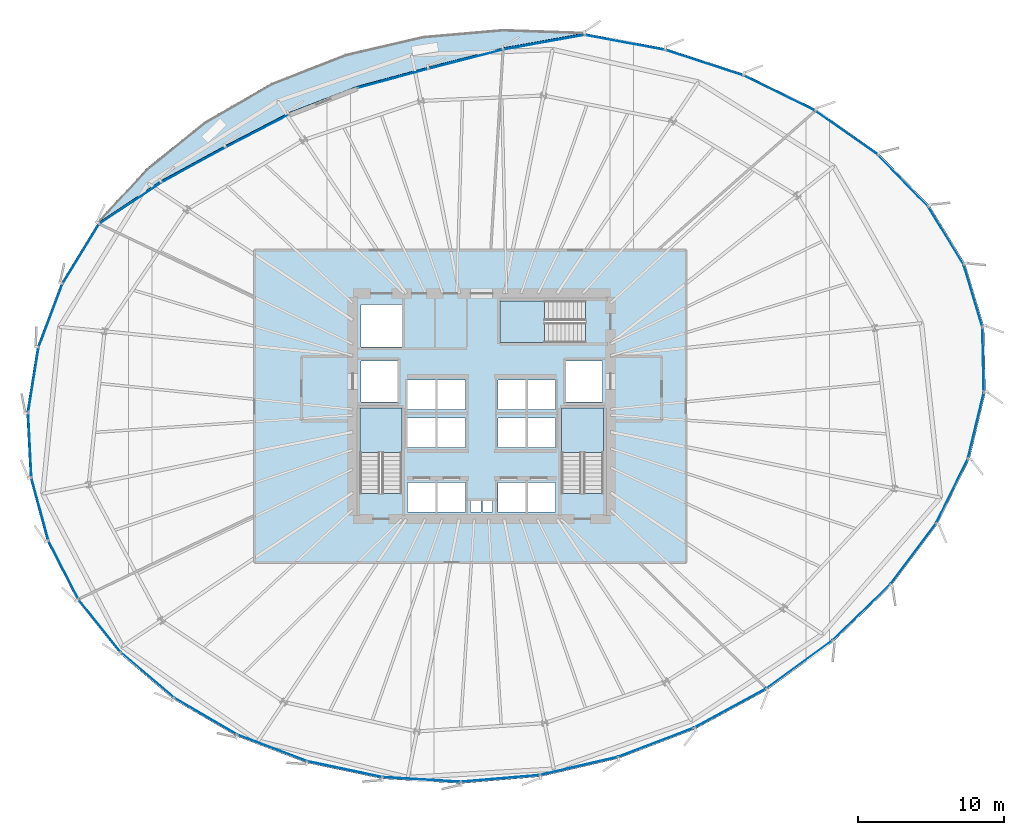
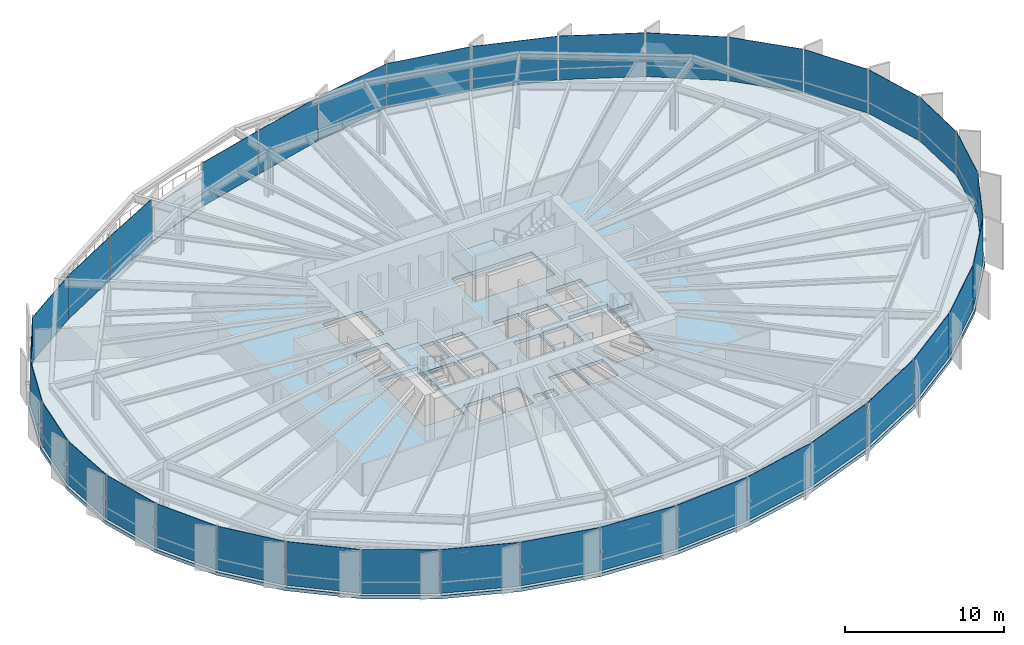
# One storey, part 31 of 38: 35 plates, 5 slabs, 10 elements without a shape of their own.
"""IFC4 building model written with IfcOpenShell, lengths in metres."""

from ifc_helpers import new_model, si_unit, direction, frame, origin, origin_2d, place, context, subcontext, project, spatial, polyline, rectangle, outline, extrude, source, transform, mapped, material, layer, layer_set, type_object, element, aggregate, save


model = new_model("IFC4")

# Units and contexts
model_context = context("Model", 3, precision=1e-05, world=origin(), true_north=direction((0.0, 1.0)))
body_context = subcontext(model_context, "Body", "Model", "MODEL_VIEW")
ifc_project = project(units=[si_unit("LENGTHUNIT", "METRE"), si_unit("AREAUNIT", "SQUARE_METRE"), si_unit("VOLUMEUNIT", "CUBIC_METRE"), si_unit("PLANEANGLEUNIT", "RADIAN"), si_unit("MASSUNIT", "GRAM", prefix="KILO"), si_unit("THERMODYNAMICTEMPERATUREUNIT", "KELVIN")], contexts=[model_context])

# Site, building, storey
site_placement = place(None, origin())
site = spatial("IfcSite", under=ifc_project, at=site_placement, CompositionType="ELEMENT")
building_placement = place(site_placement, origin())
building = spatial("IfcBuilding", under=site, at=building_placement, Name="Kethvar Cultural Tower", CompositionType="ELEMENT")
storey_placement = place(building_placement, frame((0.0, 0.0, 67.60009765625)))
storey = spatial("IfcBuildingStorey", under=building, at=storey_placement, Name="L16", CompositionType="ELEMENT", Elevation=67.60009765625)

# Stair, slab
ifc_material_1 = material(Name="Concrete C40/50", Category="concrete")
stair_type = type_object("IfcStairType", Name="ST-DOGLEG-135", PredefinedType="HALF_TURN_STAIR", material=ifc_material_1)
stair_1_placement = place(storey_placement, origin())
stair_1 = element("IfcStair", 1, at=stair_1_placement, inside=storey, type_object=stair_type, Name="L16 Core Exit Stair 1", PredefinedType="HALF_TURN_STAIR")
ifc_layer_1 = layer(ifc_material_1, 0.199951171875, Name="Concrete C40/50", Category="concrete")
ifc_layer_set_1 = layer_set([ifc_layer_1], Name="Concrete C40/50 (200 mm)")
slab_type_1 = type_object("IfcSlabType", Name="SL-STAIR-LANDING-200", PredefinedType="LANDING", material=ifc_layer_set_1)
slab_1_placement = place(storey_placement, frame((0.0, 0.0, 1.699951171875)))
slab_1 = element("IfcSlab", 2, at=slab_1_placement, type_object=slab_type_1, Name="ST-01 landing 1", PredefinedType="LANDING", context=body_context, shape_type="SweptSolid", body=[
    extrude(outline(polyline([(41.35009765625, 24.64990234375), (41.35009765625, 27.699951171875), (38.489990234375, 27.699951171875), (38.489990234375, 24.64990234375), (41.35009765625, 24.64990234375)])), origin(), (0.0, 0.0, 1.0), 0.199951171875),
])
aggregate(stair_1, [slab_1])

stair_2_placement = place(storey_placement, origin())
stair_2 = element("IfcStair", 3, at=stair_2_placement, inside=storey, type_object=stair_type, Name="L16 Core Exit Stair 2", PredefinedType="HALF_TURN_STAIR")
slab_2_placement = place(storey_placement, frame((0.0, 0.0, 1.699951171875)))
slab_2 = element("IfcSlab", 4, at=slab_2_placement, type_object=slab_type_1, Name="ST-02 landing 1", PredefinedType="LANDING", context=body_context, shape_type="SweptSolid", body=[
    extrude(outline(polyline([(55.110107421875, 24.64990234375), (55.110107421875, 27.699951171875), (52.25, 27.699951171875), (52.25, 24.64990234375), (55.110107421875, 24.64990234375)])), origin(), (0.0, 0.0, 1.0), 0.199951171875),
])
aggregate(stair_2, [slab_2])

stair_3_placement = place(storey_placement, origin())
stair_3 = element("IfcStair", 5, at=stair_3_placement, inside=storey, type_object=stair_type, Name="L16 Core Exit Stair 3", PredefinedType="HALF_TURN_STAIR")
slab_3_placement = place(storey_placement, frame((0.0, 0.0, 1.699951171875)))
slab_3 = element("IfcSlab", 6, at=slab_3_placement, type_object=slab_type_1, Name="ST-03 landing 1", PredefinedType="LANDING", context=body_context, shape_type="SweptSolid", body=[
    extrude(outline(polyline([(51.10009765625, 35.010009765625), (48.050048828125, 35.010009765625), (48.050048828125, 32.14990234375), (51.10009765625, 32.14990234375), (51.10009765625, 35.010009765625)])), origin(), (0.0, 0.0, 1.0), 0.199951171875),
])
aggregate(stair_3, [slab_3])

# Slabs
ifc_layer_2 = layer(ifc_material_1, 0.215087890625, Name="Concrete C40/50", Category="concrete")
ifc_layer_set_2 = layer_set([ifc_layer_2], Name="Concrete C40/50 (215 mm)")
slab_type_2 = type_object("IfcSlabType", Name="SL-TER-EXT", PredefinedType="FLOOR", material=ifc_layer_set_2)
slab_4_placement = place(storey_placement, frame((0.0, 0.0, -0.215087890625)))
element("IfcSlab", 7, at=slab_4_placement, inside=storey, type_object=slab_type_2, Name="L16 Spiralling Sky Terrace Deck", PredefinedType="FLOOR", context=body_context, shape_type="SweptSolid", body=[
    extrude(outline(polyline([(53.82568359375, 53.280517578125), (48.256103515625, 53.568115234375), (42.79345703125, 53.096923828125), (37.49560546875, 51.864013671875), (32.480712890625, 49.899658203125), (27.90087890625, 47.26416015625), (23.895263671875, 44.037109375), (20.585693359375, 40.31640625), (24.870849609375, 43.18896484375), (29.261474609375, 45.583984375), (33.6201171875, 47.844482421875), (38.2607421875, 49.64208984375), (43.131591796875, 50.961669921875), (48.233642578125, 52.27587890625), (53.82568359375, 53.280517578125)])), origin(), (0.0, 0.0, 1.0), 0.215087890625),
])
ifc_layer_3 = layer(ifc_material_1, 0.25, Name="Concrete C40/50", Category="concrete")
ifc_layer_set_3 = layer_set([ifc_layer_3], Name="Concrete C40/50 (250 mm)")
slab_type_3 = type_object("IfcSlabType", Name="SL-TOW-250", PredefinedType="FLOOR", material=ifc_layer_set_3)
slab_5_placement = place(storey_placement, frame((0.0, 0.0, -0.25)))
element("IfcSlab", 8, at=slab_5_placement, inside=storey, type_object=slab_type_3, Name="L16 Structural Floor Slab", PredefinedType="FLOOR", context=body_context, shape_type="SweptSolid", body=[
    extrude(outline(polyline([(81.115234375, 33.235107421875), (79.821044921875, 37.532958984375), (77.385986328125, 41.513427734375), (73.93359375, 45.063232421875), (69.638916015625, 48.085693359375), (64.711181640625, 50.501708984375), (59.37060546875, 52.248291015625), (53.82568359375, 53.280517578125), (48.233642578125, 52.27587890625), (43.131591796875, 50.961669921875), (38.2607421875, 49.64208984375), (33.6201171875, 47.844482421875), (29.261474609375, 45.583984375), (24.870849609375, 43.18896484375), (20.585693359375, 40.31640625), (18.072509765625, 36.2158203125), (16.43212890625, 31.859375), (15.714599609375, 27.37939453125), (15.941650390625, 22.91259765625), (17.106201171875, 18.593994140625), (19.1728515625, 14.55517578125), (22.0791015625, 10.918701171875), (25.736572265625, 7.79541015625), (30.033935546875, 5.27978515625), (34.840576171875, 3.448486328125), (40.0107421875, 2.35693359375), (45.38720703125, 2.038818359375), (50.806640625, 2.5029296875), (56.147705078125, 3.742919921875), (61.355712890625, 5.73779296875), (66.310302734375, 8.4326171875), (70.849853515625, 11.744384765625), (74.789794921875, 15.564697265625), (77.940185546875, 19.766357421875), (80.126708984375, 24.209228515625), (81.21240234375, 28.747314453125), (81.115234375, 33.235107421875)]), holes=[polyline([(38.489990234375, 21.85009765625), (38.489990234375, 27.699951171875), (41.35009765625, 27.699951171875), (41.35009765625, 21.85009765625), (38.489990234375, 21.85009765625)]), polyline([(52.25, 21.85009765625), (52.25, 27.699951171875), (55.110107421875, 27.699951171875), (55.110107421875, 21.85009765625), (52.25, 21.85009765625)]), polyline([(53.89990234375, 32.14990234375), (48.050048828125, 32.14990234375), (48.050048828125, 35.010009765625), (53.89990234375, 35.010009765625), (53.89990234375, 32.14990234375)]), polyline([(41.75, 22.60009765625), (43.64990234375, 22.60009765625), (43.64990234375, 20.60009765625), (41.75, 20.60009765625), (41.75, 22.60009765625)]), polyline([(43.800048828125, 22.60009765625), (45.699951171875, 22.60009765625), (45.699951171875, 20.60009765625), (43.800048828125, 20.60009765625), (43.800048828125, 22.60009765625)]), polyline([(47.89990234375, 22.60009765625), (49.800048828125, 22.60009765625), (49.800048828125, 20.60009765625), (47.89990234375, 20.60009765625), (47.89990234375, 22.60009765625)]), polyline([(49.949951171875, 22.60009765625), (51.85009765625, 22.60009765625), (51.85009765625, 20.60009765625), (49.949951171875, 20.60009765625), (49.949951171875, 22.60009765625)]), polyline([(41.75, 27.0), (43.64990234375, 27.0), (43.64990234375, 25.0), (41.75, 25.0), (41.75, 27.0)]), polyline([(43.800048828125, 27.0), (45.699951171875, 27.0), (45.699951171875, 25.0), (43.800048828125, 25.0), (43.800048828125, 27.0)]), polyline([(47.89990234375, 27.0), (49.800048828125, 27.0), (49.800048828125, 25.0), (47.89990234375, 25.0), (47.89990234375, 27.0)]), polyline([(49.949951171875, 27.0), (51.85009765625, 27.0), (51.85009765625, 25.0), (49.949951171875, 25.0), (49.949951171875, 27.0)]), polyline([(41.75, 29.60009765625), (43.64990234375, 29.60009765625), (43.64990234375, 27.60009765625), (41.75, 27.60009765625), (41.75, 29.60009765625)]), polyline([(43.800048828125, 29.60009765625), (45.699951171875, 29.60009765625), (45.699951171875, 27.60009765625), (43.800048828125, 27.60009765625), (43.800048828125, 29.60009765625)]), polyline([(47.89990234375, 29.60009765625), (49.800048828125, 29.60009765625), (49.800048828125, 27.60009765625), (47.89990234375, 27.60009765625), (47.89990234375, 29.60009765625)]), polyline([(49.949951171875, 29.60009765625), (51.85009765625, 29.60009765625), (51.85009765625, 27.60009765625), (49.949951171875, 27.60009765625), (49.949951171875, 29.60009765625)]), polyline([(38.550048828125, 30.89990234375), (41.050048828125, 30.89990234375), (41.050048828125, 28.10009765625), (38.550048828125, 28.10009765625), (38.550048828125, 30.89990234375)]), polyline([(52.550048828125, 30.89990234375), (55.050048828125, 30.89990234375), (55.050048828125, 28.10009765625), (52.550048828125, 28.10009765625), (52.550048828125, 30.89990234375)]), polyline([(38.550048828125, 34.75), (41.35009765625, 34.75), (41.35009765625, 31.85009765625), (38.550048828125, 31.85009765625), (38.550048828125, 34.75)]), polyline([(46.050048828125, 21.35009765625), (46.75, 21.35009765625), (46.75, 20.60009765625), (46.050048828125, 20.60009765625), (46.050048828125, 21.35009765625)]), polyline([(46.85009765625, 21.35009765625), (47.550048828125, 21.35009765625), (47.550048828125, 20.60009765625), (46.85009765625, 20.60009765625), (46.85009765625, 21.35009765625)])]), origin(), (0.0, 0.0, 1.0), 0.25),
])

# Curtain wall, plate
ifc_material_2 = material(Name="Aluminium 6063-T6", Category="aluminium")
ifc_layer_4 = layer(ifc_material_2, 0.179931640625, Name="Aluminium 6063-T6", Category="aluminium")
ifc_layer_set_4 = layer_set([ifc_layer_4], Name="Aluminium 6063-T6 (180 mm)")
curtain_wall_type = type_object("IfcCurtainWallType", Name="CW-SYS-02-Z1", PredefinedType="NOTDEFINED", material=ifc_layer_set_4)
curtain_wall_1_placement = place(storey_placement, origin())
curtain_wall_1 = element("IfcCurtainWall", 9, at=curtain_wall_1_placement, inside=storey, type_object=curtain_wall_type, Name="L16 Curtain Wall Run 05", PredefinedType="NOTDEFINED")
ifc_material_3 = material(Name="Insulated Low-E Solar Glass", Category="glass")
ifc_layer_5 = layer(ifc_material_3, 0.031982421875, Name="Insulated Low-E Solar Glass", Category="glass")
ifc_layer_set_5 = layer_set([ifc_layer_5], Name="Insulated Low-E Solar Glass (32 mm)")
plate_type = type_object("IfcPlateType", Name="CW-SYS-02-Z1-PNL", PredefinedType="CURTAIN_PANEL", material=ifc_layer_set_5)
shared_shape_1 = source(origin(), body_context, "Body", "SweptSolid", [
    extrude(rectangle(XDim=5.345458984375, YDim=0.031982421875, at=origin_2d()), origin(), (0.0, 0.0, 1.0), 3.35009765625),
])
plate_1_placement = place(storey_placement, frame((48.086669921875, 2.390380859375, 0.099853515625), z_axis=(0.0, 0.0, 1.0), x_axis=(0.996349767245, 0.085364754503, 0.0)))
plate_1 = element("IfcPlate", 10, at=plate_1_placement, type_object=plate_type, Name="CW-L16-R05 Vision Glazing Panel 4", PredefinedType="CURTAIN_PANEL", context=body_context, shape_type="MappedRepresentation", body=[
    mapped(shared_shape_1, transform((0.0, 0.0, 0.0), scale=1.0)),
])

curtain_wall_2_placement = place(storey_placement, origin())
curtain_wall_2 = element("IfcCurtainWall", 11, at=curtain_wall_2_placement, inside=storey, type_object=curtain_wall_type, Name="L16 Curtain Wall Run 01", PredefinedType="NOTDEFINED")
shared_shape_2 = source(origin(), body_context, "Body", "SweptSolid", [
    extrude(rectangle(XDim=4.39501953125, YDim=0.031982421875, at=origin_2d()), origin(), (0.0, 0.0, 1.0), 3.35009765625),
])
plate_2_placement = place(storey_placement, frame((80.353271484375, 35.349365234375, 0.099853515625), z_axis=(0.0, 0.0, 1.0), x_axis=(-0.288346679536, 0.957526079227, 0.0)))
plate_2 = element("IfcPlate", 12, at=plate_2_placement, type_object=plate_type, Name="CW-L16-R01 Vision Glazing Panel 1", PredefinedType="CURTAIN_PANEL", context=body_context, shape_type="MappedRepresentation", body=[
    mapped(shared_shape_2, transform((0.0, 0.0, 0.0), scale=1.0)),
])

curtain_wall_3_placement = place(storey_placement, origin())
curtain_wall_3 = element("IfcCurtainWall", 13, at=curtain_wall_3_placement, inside=storey, type_object=curtain_wall_type, Name="L16 Curtain Wall Run 07", PredefinedType="NOTDEFINED")
plate_3_placement = place(storey_placement, frame((81.0439453125, 30.988525390625, 0.099853515625), z_axis=(0.0, 0.0, 1.0), x_axis=(-0.021657842514, 0.99976544142, 0.0)))
plate_3 = element("IfcPlate", 14, at=plate_3_placement, type_object=plate_type, Name="CW-L16-R07 Vision Glazing Panel 1", PredefinedType="CURTAIN_PANEL", context=body_context, shape_type="MappedRepresentation", body=[
    mapped(shared_shape_2, transform((0.0, 0.0, 0.0), scale=1.0)),
])
aggregate(curtain_wall_3, [plate_3])

# Plate
shared_shape_3 = source(origin(), body_context, "Body", "SweptSolid", [
    extrude(rectangle(XDim=4.572509765625, YDim=0.031982421875, at=origin_2d()), origin(), (0.0, 0.0, 1.0), 3.35009765625),
])
plate_4_placement = place(storey_placement, frame((78.501220703125, 39.460693359375, 0.099853515625), z_axis=(0.0, 0.0, 1.0), x_axis=(-0.521813852999, 0.853059378249, 0.0)))
plate_4 = element("IfcPlate", 15, at=plate_4_placement, type_object=plate_type, Name="CW-L16-R01 Vision Glazing Panel 2", PredefinedType="CURTAIN_PANEL", context=body_context, shape_type="MappedRepresentation", body=[
    mapped(shared_shape_3, transform((0.0, 0.0, 0.0), scale=1.0)),
])

# Curtain wall, plate
curtain_wall_4_placement = place(storey_placement, origin())
curtain_wall_4 = element("IfcCurtainWall", 16, at=curtain_wall_4_placement, inside=storey, type_object=curtain_wall_type, Name="L16 Curtain Wall Run 06", PredefinedType="NOTDEFINED")
plate_5_placement = place(storey_placement, frame((80.552978515625, 26.50634765625, 0.099853515625), z_axis=(0.0, 0.0, 1.0), x_axis=(0.232681594384, 0.972552968036, 0.0)))
plate_5 = element("IfcPlate", 17, at=plate_5_placement, type_object=plate_type, Name="CW-L16-R06 Vision Glazing Panel 6", PredefinedType="CURTAIN_PANEL", context=body_context, shape_type="MappedRepresentation", body=[
    mapped(shared_shape_3, transform((0.0, 0.0, 0.0), scale=1.0)),
])

# Plate
shared_shape_4 = source(origin(), body_context, "Body", "SweptSolid", [
    extrude(rectangle(XDim=4.858154296875, YDim=0.031982421875, at=origin_2d()), origin(), (0.0, 0.0, 1.0), 3.35009765625),
])
plate_6_placement = place(storey_placement, frame((75.57373046875, 43.204833984375, 0.099853515625), z_axis=(0.0, 0.0, 1.0), x_axis=(-0.697215150958, 0.716861934598, 0.0)))
plate_6 = element("IfcPlate", 18, at=plate_6_placement, type_object=plate_type, Name="CW-L16-R01 Vision Glazing Panel 3", PredefinedType="CURTAIN_PANEL", context=body_context, shape_type="MappedRepresentation", body=[
    mapped(shared_shape_4, transform((0.0, 0.0, 0.0), scale=1.0)),
])

plate_7_placement = place(storey_placement, frame((78.92578125, 22.040771484375, 0.099853515625), z_axis=(0.0, 0.0, 1.0), x_axis=(0.441552832525, 0.897235251252, 0.0)))
plate_7 = element("IfcPlate", 19, at=plate_7_placement, type_object=plate_type, Name="CW-L16-R06 Vision Glazing Panel 5", PredefinedType="CURTAIN_PANEL", context=body_context, shape_type="MappedRepresentation", body=[
    mapped(shared_shape_4, transform((0.0, 0.0, 0.0), scale=1.0)),
])

shared_shape_5 = source(origin(), body_context, "Body", "SweptSolid", [
    extrude(rectangle(XDim=5.157958984375, YDim=0.031982421875, at=origin_2d()), origin(), (0.0, 0.0, 1.0), 3.35009765625),
])
plate_8_placement = place(storey_placement, frame((71.71728515625, 46.476318359375, 0.099853515625), z_axis=(0.0, 0.0, 1.0), x_axis=(-0.817768179589, 0.575547742981, 0.0)))
plate_8 = element("IfcPlate", 20, at=plate_8_placement, type_object=plate_type, Name="CW-L16-R01 Vision Glazing Panel 4", PredefinedType="CURTAIN_PANEL", context=body_context, shape_type="MappedRepresentation", body=[
    mapped(shared_shape_5, transform((0.0, 0.0, 0.0), scale=1.0)),
])

plate_9_placement = place(storey_placement, frame((76.26904296875, 17.737548828125, 0.099853515625), z_axis=(0.0, 0.0, 1.0), x_axis=(0.599889722362, 0.800082696354, 0.0)))
plate_9 = element("IfcPlate", 21, at=plate_9_placement, type_object=plate_type, Name="CW-L16-R06 Vision Glazing Panel 4", PredefinedType="CURTAIN_PANEL", context=body_context, shape_type="MappedRepresentation", body=[
    mapped(shared_shape_5, transform((0.0, 0.0, 0.0), scale=1.0)),
])

shared_shape_6 = source(origin(), body_context, "Body", "SweptSolid", [
    extrude(rectangle(XDim=5.39453125, YDim=0.031982421875, at=origin_2d()), origin(), (0.0, 0.0, 1.0), 3.35009765625),
])
plate_10_placement = place(storey_placement, frame((67.122314453125, 49.18603515625, 0.099853515625), z_axis=(0.0, 0.0, 1.0), x_axis=(-0.897904686555, 0.440189929307, 0.0)))
plate_10 = element("IfcPlate", 22, at=plate_10_placement, type_object=plate_type, Name="CW-L16-R01 Vision Glazing Panel 5", PredefinedType="CURTAIN_PANEL", context=body_context, shape_type="MappedRepresentation", body=[
    mapped(shared_shape_6, transform((0.0, 0.0, 0.0), scale=1.0)),
])

plate_11_placement = place(storey_placement, frame((72.736328125, 13.74072265625, 0.099853515625), z_axis=(0.0, 0.0, 1.0), x_axis=(0.717931934252, 0.696113308149, 0.0)))
plate_11 = element("IfcPlate", 23, at=plate_11_placement, type_object=plate_type, Name="CW-L16-R06 Vision Glazing Panel 3", PredefinedType="CURTAIN_PANEL", context=body_context, shape_type="MappedRepresentation", body=[
    mapped(shared_shape_6, transform((0.0, 0.0, 0.0), scale=1.0)),
])

shared_shape_7 = source(origin(), body_context, "Body", "SweptSolid", [
    extrude(rectangle(XDim=5.525390625, YDim=0.031982421875, at=origin_2d()), origin(), (0.0, 0.0, 1.0), 3.35009765625),
])
plate_12_placement = place(storey_placement, frame((62.003662109375, 51.260986328125, 0.099853515625), z_axis=(0.0, 0.0, 1.0), x_axis=(-0.950461493885, 0.310842321189, 0.0)))
plate_12 = element("IfcPlate", 24, at=plate_12_placement, type_object=plate_type, Name="CW-L16-R01 Vision Glazing Panel 6", PredefinedType="CURTAIN_PANEL", context=body_context, shape_type="MappedRepresentation", body=[
    mapped(shared_shape_7, transform((0.0, 0.0, 0.0), scale=1.0)),
])

aggregate(curtain_wall_2, [plate_2, plate_4, plate_6, plate_8, plate_10, plate_12])

# Curtain wall, plate
curtain_wall_5_placement = place(storey_placement, origin())
curtain_wall_5 = element("IfcCurtainWall", 25, at=curtain_wall_5_placement, inside=storey, type_object=curtain_wall_type, Name="L16 Curtain Wall Run 02", PredefinedType="NOTDEFINED")
shared_shape_8 = source(origin(), body_context, "Body", "SweptSolid", [
    extrude(rectangle(XDim=5.54638671875, YDim=0.031982421875, at=origin_2d()), origin(), (0.0, 0.0, 1.0), 3.35009765625),
])
plate_13_placement = place(storey_placement, frame((56.576171875, 52.646484375, 0.099853515625), z_axis=(0.0, 0.0, 1.0), x_axis=(-0.983114670809, 0.182990557245, 0.0)))
plate_13 = element("IfcPlate", 26, at=plate_13_placement, type_object=plate_type, Name="CW-L16-R02 Vision Glazing Panel 1", PredefinedType="CURTAIN_PANEL", context=body_context, shape_type="MappedRepresentation", body=[
    mapped(shared_shape_8, transform((0.0, 0.0, 0.0), scale=1.0)),
])

# Plate
plate_14_placement = place(storey_placement, frame((63.775634765625, 7.190673828125, 0.099853515625), z_axis=(0.0, 0.0, 1.0), x_axis=(0.878450421939, 0.477833502588, 0.0)))
plate_14 = element("IfcPlate", 27, at=plate_14_placement, type_object=plate_type, Name="CW-L16-R06 Vision Glazing Panel 1", PredefinedType="CURTAIN_PANEL", context=body_context, shape_type="MappedRepresentation", body=[
    mapped(shared_shape_8, transform((0.0, 0.0, 0.0), scale=1.0)),
])

shared_shape_9 = source(origin(), body_context, "Body", "SweptSolid", [
    extrude(rectangle(XDim=5.587890625, YDim=0.031982421875, at=origin_2d()), origin(), (0.0, 0.0, 1.0), 3.35009765625),
])
plate_15_placement = place(storey_placement, frame((51.05078125, 52.659912109375, 0.099853515625), z_axis=(0.0, 0.0, 1.0), x_axis=(-0.984248106747, -0.176792715814, 0.0)))
plate_15 = element("IfcPlate", 28, at=plate_15_placement, type_object=plate_type, Name="CW-L16-R02 Vision Glazing Panel 2", PredefinedType="CURTAIN_PANEL", context=body_context, shape_type="MappedRepresentation", body=[
    mapped(shared_shape_9, transform((0.0, 0.0, 0.0), scale=1.0)),
])

shared_shape_10 = source(origin(), body_context, "Body", "SweptSolid", [
    extrude(rectangle(XDim=5.1748046875, YDim=0.031982421875, at=origin_2d()), origin(), (0.0, 0.0, 1.0), 3.35009765625),
])
plate_16_placement = place(storey_placement, frame((45.712646484375, 51.50244140625, 0.099853515625), z_axis=(0.0, 0.0, 1.0), x_axis=(-0.968383187952, -0.249467435333, 0.0)))
plate_16 = element("IfcPlate", 29, at=plate_16_placement, type_object=plate_type, Name="CW-L16-R02 Vision Glazing Panel 3", PredefinedType="CURTAIN_PANEL", context=body_context, shape_type="MappedRepresentation", body=[
    mapped(shared_shape_10, transform((0.0, 0.0, 0.0), scale=1.0)),
])

shared_shape_11 = source(origin(), body_context, "Body", "SweptSolid", [
    extrude(rectangle(XDim=4.95263671875, YDim=0.031982421875, at=origin_2d()), origin(), (0.0, 0.0, 1.0), 3.35009765625),
])
plate_17_placement = place(storey_placement, frame((40.7275390625, 50.18603515625, 0.099853515625), z_axis=(0.0, 0.0, 1.0), x_axis=(-0.965203866024, -0.26149856025, 0.0)))
plate_17 = element("IfcPlate", 30, at=plate_17_placement, type_object=plate_type, Name="CW-L16-R02 Vision Glazing Panel 4", PredefinedType="CURTAIN_PANEL", context=body_context, shape_type="MappedRepresentation", body=[
    mapped(shared_shape_11, transform((0.0, 0.0, 0.0), scale=1.0)),
])

aggregate(curtain_wall_5, [plate_13, plate_15, plate_16, plate_17])

# Curtain wall, plates
curtain_wall_6_placement = place(storey_placement, origin())
curtain_wall_6 = element("IfcCurtainWall", 31, at=curtain_wall_6_placement, inside=storey, type_object=curtain_wall_type, Name="L16 Curtain Wall Run 03", PredefinedType="NOTDEFINED")
shared_shape_12 = source(origin(), body_context, "Body", "SweptSolid", [
    extrude(rectangle(XDim=4.81640625, YDim=0.031982421875, at=origin_2d()), origin(), (0.0, 0.0, 1.0), 3.35009765625),
])
plate_18_placement = place(storey_placement, frame((31.49609375, 46.607666015625, 0.099853515625), z_axis=(0.0, 0.0, 1.0), x_axis=(-0.887710946266, -0.460401211858, 0.0)))
plate_18 = element("IfcPlate", 32, at=plate_18_placement, type_object=plate_type, Name="CW-L16-R03 Vision Glazing Panel 1", PredefinedType="CURTAIN_PANEL", context=body_context, shape_type="MappedRepresentation", body=[
    mapped(shared_shape_12, transform((0.0, 0.0, 0.0), scale=1.0)),
])
shared_shape_13 = source(origin(), body_context, "Body", "SweptSolid", [
    extrude(rectangle(XDim=4.90771484375, YDim=0.031982421875, at=origin_2d()), origin(), (0.0, 0.0, 1.0), 3.35009765625),
])
plate_19_placement = place(storey_placement, frame((27.12353515625, 44.281005859375, 0.099853515625), z_axis=(0.0, 0.0, 1.0), x_axis=(-0.877899414566, -0.478845087586, 0.0)))
plate_19 = element("IfcPlate", 33, at=plate_19_placement, type_object=plate_type, Name="CW-L16-R03 Vision Glazing Panel 2", PredefinedType="CURTAIN_PANEL", context=body_context, shape_type="MappedRepresentation", body=[
    mapped(shared_shape_13, transform((0.0, 0.0, 0.0), scale=1.0)),
])
shared_shape_14 = source(origin(), body_context, "Body", "SweptSolid", [
    extrude(rectangle(XDim=5.065185546875, YDim=0.031982421875, at=origin_2d()), origin(), (0.0, 0.0, 1.0), 3.35009765625),
])
plate_20_placement = place(storey_placement, frame((22.795166015625, 41.653076171875, 0.099853515625), z_axis=(0.0, 0.0, 1.0), x_axis=(-0.830634774424, -0.556817628598, 0.0)))
plate_20 = element("IfcPlate", 34, at=plate_20_placement, type_object=plate_type, Name="CW-L16-R03 Vision Glazing Panel 3", PredefinedType="CURTAIN_PANEL", context=body_context, shape_type="MappedRepresentation", body=[
    mapped(shared_shape_14, transform((0.0, 0.0, 0.0), scale=1.0)),
])
shared_shape_15 = source(origin(), body_context, "Body", "SweptSolid", [
    extrude(rectangle(XDim=4.716064453125, YDim=0.031982421875, at=origin_2d()), origin(), (0.0, 0.0, 1.0), 3.35009765625),
])
plate_21_placement = place(storey_placement, frame((19.431396484375, 38.20361328125, 0.099853515625), z_axis=(0.0, 0.0, 1.0), x_axis=(-0.522543208134, -0.852612805224, 0.0)))
plate_21 = element("IfcPlate", 35, at=plate_21_placement, type_object=plate_type, Name="CW-L16-R03 Vision Glazing Panel 4", PredefinedType="CURTAIN_PANEL", context=body_context, shape_type="MappedRepresentation", body=[
    mapped(shared_shape_15, transform((0.0, 0.0, 0.0), scale=1.0)),
])

# Curtain wall, plate
curtain_wall_7_placement = place(storey_placement, origin())
curtain_wall_7 = element("IfcCurtainWall", 36, at=curtain_wall_7_placement, inside=storey, type_object=curtain_wall_type, Name="L16 Curtain Wall Run 04", PredefinedType="NOTDEFINED")
plate_22_placement = place(storey_placement, frame((23.985595703125, 9.4482421875, 0.099853515625), z_axis=(0.0, 0.0, 1.0), x_axis=(0.760439969578, -0.649408232677, 0.0)))
plate_22 = element("IfcPlate", 37, at=plate_22_placement, type_object=plate_type, Name="CW-L16-R04 Vision Glazing Panel 5", PredefinedType="CURTAIN_PANEL", context=body_context, shape_type="MappedRepresentation", body=[
    mapped(shared_shape_15, transform((0.0, 0.0, 0.0), scale=1.0)),
])

# Plate
shared_shape_16 = source(origin(), body_context, "Body", "SweptSolid", [
    extrude(rectangle(XDim=4.5615234375, YDim=0.031982421875, at=origin_2d()), origin(), (0.0, 0.0, 1.0), 3.35009765625),
])
plate_23_placement = place(storey_placement, frame((17.364501953125, 33.9951171875, 0.099853515625), z_axis=(0.0, 0.0, 1.0), x_axis=(-0.352364387771, -0.935862884311, 0.0)))
plate_23 = element("IfcPlate", 38, at=plate_23_placement, type_object=plate_type, Name="CW-L16-R03 Vision Glazing Panel 5", PredefinedType="CURTAIN_PANEL", context=body_context, shape_type="MappedRepresentation", body=[
    mapped(shared_shape_16, transform((0.0, 0.0, 0.0), scale=1.0)),
])

shared_shape_17 = source(origin(), body_context, "Body", "SweptSolid", [
    extrude(rectangle(XDim=4.443359375, YDim=0.031982421875, at=origin_2d()), origin(), (0.0, 0.0, 1.0), 3.35009765625),
])
plate_24_placement = place(storey_placement, frame((16.19189453125, 29.600341796875, 0.099853515625), z_axis=(0.0, 0.0, 1.0), x_axis=(-0.158175300852, -0.987411046222, 0.0)))
plate_24 = element("IfcPlate", 39, at=plate_24_placement, type_object=plate_type, Name="CW-L16-R03 Vision Glazing Panel 6", PredefinedType="CURTAIN_PANEL", context=body_context, shape_type="MappedRepresentation", body=[
    mapped(shared_shape_17, transform((0.0, 0.0, 0.0), scale=1.0)),
])

aggregate(curtain_wall_6, [plate_18, plate_19, plate_20, plate_21, plate_23, plate_24])

plate_25_placement = place(storey_placement, frame((18.246337890625, 16.629150390625, 0.099853515625), z_axis=(0.0, 0.0, 1.0), x_axis=(0.455544907234, -0.890212804611, 0.0)))
plate_25 = element("IfcPlate", 40, at=plate_25_placement, type_object=plate_type, Name="CW-L16-R04 Vision Glazing Panel 3", PredefinedType="CURTAIN_PANEL", context=body_context, shape_type="MappedRepresentation", body=[
    mapped(shared_shape_17, transform((0.0, 0.0, 0.0), scale=1.0)),
])

shared_shape_18 = source(origin(), body_context, "Body", "SweptSolid", [
    extrude(rectangle(XDim=4.379150390625, YDim=0.031982421875, at=origin_2d()), origin(), (0.0, 0.0, 1.0), 3.35009765625),
])
plate_26_placement = place(storey_placement, frame((15.947998046875, 25.152099609375, 0.099853515625), z_axis=(0.0, 0.0, 1.0), x_axis=(0.050749817922, -0.998711397743, 0.0)))
plate_26 = element("IfcPlate", 41, at=plate_26_placement, type_object=plate_type, Name="CW-L16-R04 Vision Glazing Panel 1", PredefinedType="CURTAIN_PANEL", context=body_context, shape_type="MappedRepresentation", body=[
    mapped(shared_shape_18, transform((0.0, 0.0, 0.0), scale=1.0)),
])

plate_27_placement = place(storey_placement, frame((16.6396484375, 20.784423828125, 0.099853515625), z_axis=(0.0, 0.0, 1.0), x_axis=(0.260352849343, -0.965513538921, 0.0)))
plate_27 = element("IfcPlate", 42, at=plate_27_placement, type_object=plate_type, Name="CW-L16-R04 Vision Glazing Panel 2", PredefinedType="CURTAIN_PANEL", context=body_context, shape_type="MappedRepresentation", body=[
    mapped(shared_shape_18, transform((0.0, 0.0, 0.0), scale=1.0)),
])

shared_shape_19 = source(origin(), body_context, "Body", "SweptSolid", [
    extrude(rectangle(XDim=4.561279296875, YDim=0.031982421875, at=origin_2d()), origin(), (0.0, 0.0, 1.0), 3.35009765625),
])
plate_28_placement = place(storey_placement, frame((20.7197265625, 12.81201171875, 0.099853515625), z_axis=(0.0, 0.0, 1.0), x_axis=(0.624315982757, -0.781171910449, 0.0)))
plate_28 = element("IfcPlate", 43, at=plate_28_placement, type_object=plate_type, Name="CW-L16-R04 Vision Glazing Panel 4", PredefinedType="CURTAIN_PANEL", context=body_context, shape_type="MappedRepresentation", body=[
    mapped(shared_shape_19, transform((0.0, 0.0, 0.0), scale=1.0)),
])

shared_shape_20 = source(origin(), body_context, "Body", "SweptSolid", [
    extrude(rectangle(XDim=4.885986328125, YDim=0.031982421875, at=origin_2d()), origin(), (0.0, 0.0, 1.0), 3.35009765625),
])
plate_29_placement = place(storey_placement, frame((27.94580078125, 6.64111328125, 0.099853515625), z_axis=(0.0, 0.0, 1.0), x_axis=(0.863007846655, -0.505190515165, 0.0)))
plate_29 = element("IfcPlate", 44, at=plate_29_placement, type_object=plate_type, Name="CW-L16-R04 Vision Glazing Panel 6", PredefinedType="CURTAIN_PANEL", context=body_context, shape_type="MappedRepresentation", body=[
    mapped(shared_shape_20, transform((0.0, 0.0, 0.0), scale=1.0)),
])

aggregate(curtain_wall_7, [plate_26, plate_27, plate_25, plate_28, plate_22, plate_29])

shared_shape_21 = source(origin(), body_context, "Body", "SweptSolid", [
    extrude(rectangle(XDim=5.050048828125, YDim=0.031982421875, at=origin_2d()), origin(), (0.0, 0.0, 1.0), 3.35009765625),
])
plate_30_placement = place(storey_placement, frame((32.47998046875, 4.476318359375, 0.099853515625), z_axis=(0.0, 0.0, 1.0), x_axis=(0.934478153942, -0.356020476665, 0.0)))
plate_30 = element("IfcPlate", 45, at=plate_30_placement, type_object=plate_type, Name="CW-L16-R05 Vision Glazing Panel 1", PredefinedType="CURTAIN_PANEL", context=body_context, shape_type="MappedRepresentation", body=[
    mapped(shared_shape_21, transform((0.0, 0.0, 0.0), scale=1.0)),
])

shared_shape_22 = source(origin(), body_context, "Body", "SweptSolid", [
    extrude(rectangle(XDim=5.1904296875, YDim=0.031982421875, at=origin_2d()), origin(), (0.0, 0.0, 1.0), 3.35009765625),
])
plate_31_placement = place(storey_placement, frame((37.450439453125, 3.020263671875, 0.099853515625), z_axis=(0.0, 0.0, 1.0), x_axis=(0.978433341598, -0.206562813813, 0.0)))
plate_31 = element("IfcPlate", 46, at=plate_31_placement, type_object=plate_type, Name="CW-L16-R05 Vision Glazing Panel 2", PredefinedType="CURTAIN_PANEL", context=body_context, shape_type="MappedRepresentation", body=[
    mapped(shared_shape_22, transform((0.0, 0.0, 0.0), scale=1.0)),
])

shared_shape_23 = source(origin(), body_context, "Body", "SweptSolid", [
    extrude(rectangle(XDim=5.292236328125, YDim=0.031982421875, at=origin_2d()), origin(), (0.0, 0.0, 1.0), 3.35009765625),
])
plate_32_placement = place(storey_placement, frame((42.706298828125, 2.317626953125, 0.099853515625), z_axis=(0.0, 0.0, 1.0), x_axis=(0.998252227128, -0.059097301416, 0.0)))
plate_32 = element("IfcPlate", 47, at=plate_32_placement, type_object=plate_type, Name="CW-L16-R05 Vision Glazing Panel 3", PredefinedType="CURTAIN_PANEL", context=body_context, shape_type="MappedRepresentation", body=[
    mapped(shared_shape_23, transform((0.0, 0.0, 0.0), scale=1.0)),
])

shared_shape_24 = source(origin(), body_context, "Body", "SweptSolid", [
    extrude(rectangle(XDim=5.389404296875, YDim=0.031982421875, at=origin_2d()), origin(), (0.0, 0.0, 1.0), 3.35009765625),
])
plate_33_placement = place(storey_placement, frame((53.4501953125, 3.239990234375, 0.099853515625), z_axis=(0.0, 0.0, 1.0), x_axis=(0.974098454872, 0.226124302577, 0.0)))
plate_33 = element("IfcPlate", 48, at=plate_33_placement, type_object=plate_type, Name="CW-L16-R05 Vision Glazing Panel 5", PredefinedType="CURTAIN_PANEL", context=body_context, shape_type="MappedRepresentation", body=[
    mapped(shared_shape_24, transform((0.0, 0.0, 0.0), scale=1.0)),
])

shared_shape_25 = source(origin(), body_context, "Body", "SweptSolid", [
    extrude(rectangle(XDim=5.4833984375, YDim=0.031982421875, at=origin_2d()), origin(), (0.0, 0.0, 1.0), 3.35009765625),
])
plate_34_placement = place(storey_placement, frame((58.708740234375, 4.852294921875, 0.099853515625), z_axis=(0.0, 0.0, 1.0), x_axis=(0.933842873074, 0.357683503127, 0.0)))
plate_34 = element("IfcPlate", 49, at=plate_34_placement, type_object=plate_type, Name="CW-L16-R05 Vision Glazing Panel 6", PredefinedType="CURTAIN_PANEL", context=body_context, shape_type="MappedRepresentation", body=[
    mapped(shared_shape_25, transform((0.0, 0.0, 0.0), scale=1.0)),
])

aggregate(curtain_wall_1, [plate_30, plate_31, plate_32, plate_1, plate_33, plate_34])

shared_shape_26 = source(origin(), body_context, "Body", "SweptSolid", [
    extrude(rectangle(XDim=5.525634765625, YDim=0.031982421875, at=origin_2d()), origin(), (0.0, 0.0, 1.0), 3.35009765625),
])
plate_35_placement = place(storey_placement, frame((68.50927734375, 10.185546875, 0.099853515625), z_axis=(0.0, 0.0, 1.0), x_axis=(0.807876751428, 0.589351469416, 0.0)))
plate_35 = element("IfcPlate", 50, at=plate_35_placement, type_object=plate_type, Name="CW-L16-R06 Vision Glazing Panel 2", PredefinedType="CURTAIN_PANEL", context=body_context, shape_type="MappedRepresentation", body=[
    mapped(shared_shape_26, transform((0.0, 0.0, 0.0), scale=1.0)),
])

aggregate(curtain_wall_4, [plate_14, plate_35, plate_11, plate_9, plate_7, plate_5])

save(model, "model.ifc")
